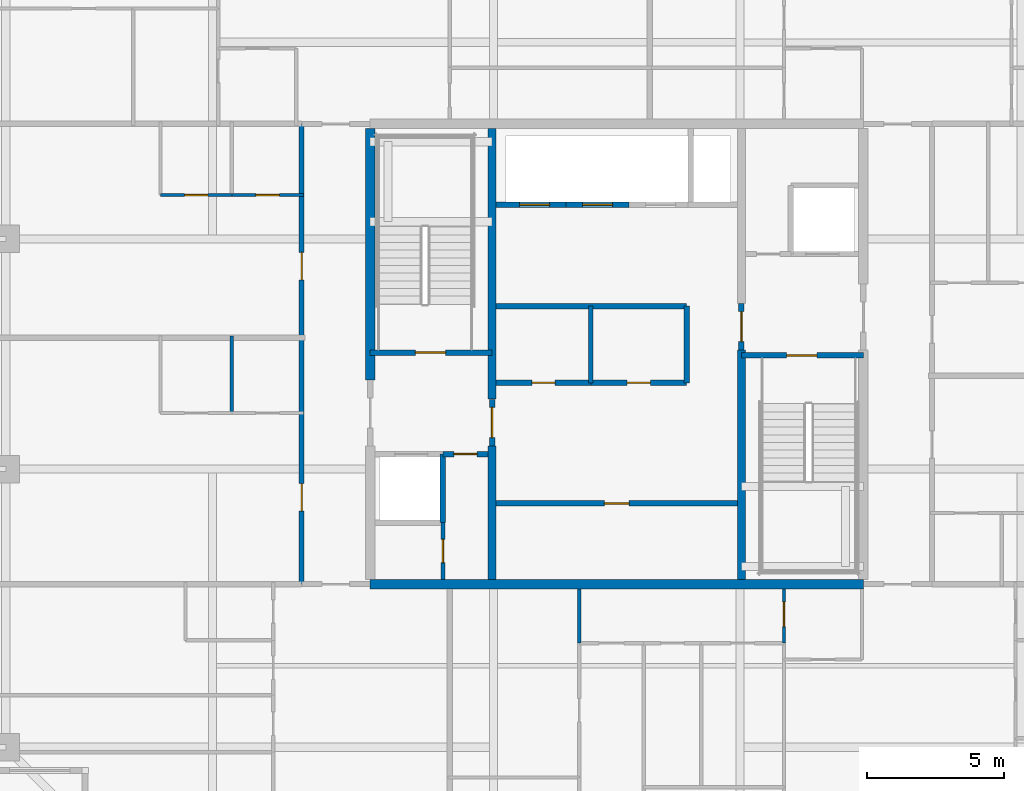
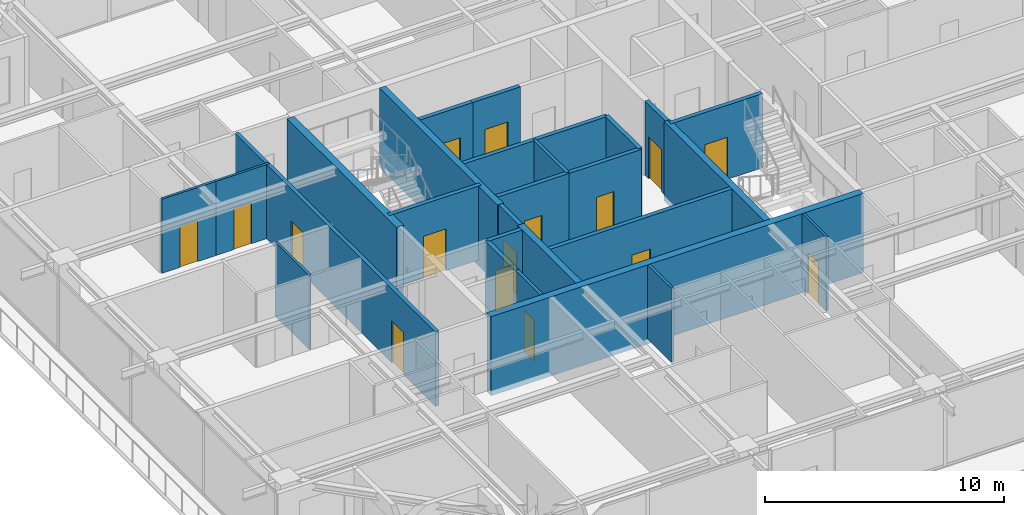
# One storey, part 32 of 42: 26 walls, 16 doors, 16 openings.
"""IFC4 building model written with IfcOpenShell, lengths in metres."""

from ifc_helpers import new_model, si_unit, direction, frame, frame_2d, origin, place, context, subcontext, project, spatial, rectangle, extrude, source, transform, mapped, material, layer, layer_set, type_object, element, fill, save


model = new_model("IFC4")

# Units and contexts
model_context = context("Model", 3, precision=1e-05, world=origin(), true_north=direction((0.0, 1.0)))
body_context = subcontext(model_context, "Body", "Model", "MODEL_VIEW")
ifc_project = project(units=[si_unit("LENGTHUNIT", "METRE"), si_unit("AREAUNIT", "SQUARE_METRE"), si_unit("VOLUMEUNIT", "CUBIC_METRE"), si_unit("PLANEANGLEUNIT", "RADIAN"), si_unit("MASSUNIT", "GRAM", prefix="KILO")], contexts=[model_context])

# Site, building, storey
site_placement = place(None, origin())
site = spatial("IfcSite", under=ifc_project, at=site_placement, CompositionType="ELEMENT")
building_placement = place(site_placement, origin())
building = spatial("IfcBuilding", under=site, at=building_placement, Name="Serunith Strait Residences", CompositionType="ELEMENT")
storey_placement = place(building_placement, frame((0.0, 0.0, 325.85009765625)))
storey = spatial("IfcBuildingStorey", under=building, at=storey_placement, Name="L81", CompositionType="ELEMENT", Elevation=325.85009765625)

# Wall, opening, door
ifc_material_1 = material(Name="Fire-rated masonry service closet wall", Category="masonry")
ifc_layer_1 = layer(ifc_material_1, 0.14990234375, Name="Fire-rated masonry service closet wall")
ifc_layer_set_1 = layer_set([ifc_layer_1], Name="Fire-rated masonry service closet wall")
wall_type_1 = type_object("IfcWallType", Name="IW-BOH-150", PredefinedType="PARTITIONING", material=ifc_layer_set_1)
wall_1_placement = place(storey_placement, frame((26.050048828125, 16.97509765625, 0.0), z_axis=(0.0, 0.0, 1.0), x_axis=(0.0, 1.0, 0.0)))
wall_1 = element("IfcWall", 1, at=wall_1_placement, inside=storey, type_object=wall_type_1, Name="L81 Partition Wall 011", PredefinedType="PARTITIONING", context=body_context, shape_type="SweptSolid", body=[
    extrude(rectangle(XDim=2.072998046875, YDim=0.14990234375, at=frame_2d((1.03662109375, 0.0))), origin(), (0.0, 0.0, 1.0), 3.789794921875),
])
opening_1_placement = place(wall_1_placement, frame((0.611083984375, 0.0, 0.0)))
opening_1 = element("IfcOpeningElement", 2, at=opening_1_placement, cuts=wall_1, Name="Opening FD-850", PredefinedType="OPENING", context=body_context, shape_type="SweptSolid", body=[
    extrude(rectangle(XDim=0.85009765625, YDim=2.10009765625, at=frame_2d((0.425048828125, 1.050048828125))), frame((0.0, 0.0849609375, 0.0), z_axis=(0.0, -1.0, 0.0), x_axis=(1.0, 0.0, 0.0)), (0.0, 0.0, 1.0), 0.169921875),
])
ifc_material_2 = material(Name="Powder-coated steel service closet door", Category="steel")
door_type_1 = type_object("IfcDoorType", Name="FD-BOH-850", OperationType="NOTDEFINED", PredefinedType="DOOR", material=ifc_material_2)
shared_shape_1 = source(origin(), body_context, "Body", "SweptSolid", [
    extrude(rectangle(XDim=0.85009765625, YDim=2.10009765625, at=frame_2d((0.425048828125, 1.050048828125))), frame((0.0, 0.02490234375, 0.0), z_axis=(0.0, -1.0, 0.0), x_axis=(1.0, 0.0, 0.0)), (0.0, 0.0, 1.0), 0.050048828125),
])
door_1_placement = place(opening_1_placement, origin())
door_1 = element("IfcDoor", 3, at=door_1_placement, inside=storey, type_object=door_type_1, Name="L81 Cleaner Store Door", OperationType="SINGLE_SWING_LEFT", OverallHeight=2.10009765625, OverallWidth=0.85009765625, PredefinedType="DOOR", context=body_context, shape_type="MappedRepresentation", body=[
    mapped(shared_shape_1, transform((0.0, 0.0, 0.0), scale=1.0)),
])
fill(opening_1, door_1)

# Wall
wall_2_placement = place(storey_placement, frame((31.449951171875, 24.14990234375, 0.0), z_axis=(0.0, 0.0, 1.0), x_axis=(0.0, 1.0, 0.0)))
element("IfcWall", 4, at=wall_2_placement, inside=storey, type_object=wall_type_1, Name="L81 Partition Wall 017", PredefinedType="PARTITIONING", context=body_context, shape_type="SweptSolid", body=[
    extrude(rectangle(XDim=2.800048828125, YDim=0.14990234375, at=frame_2d((1.39990234375, 0.0))), origin(), (0.0, 0.0, 1.0), 3.789794921875),
])

# Wall, openings, doors
ifc_material_3 = material(Name="Fire-rated acoustic gypsum partition")
ifc_layer_2 = layer(ifc_material_3, 0.179931640625, Name="Fire-rated acoustic gypsum partition")
ifc_layer_set_2 = layer_set([ifc_layer_2], Name="Fire-rated acoustic gypsum partition")
wall_type_2 = type_object("IfcWallType", Name="IW-CORR-180", PredefinedType="PARTITIONING", material=ifc_layer_set_2)
wall_3_placement = place(storey_placement, frame((20.89990234375, 16.800048828125, 0.0), z_axis=(0.0, 0.0, 1.0), x_axis=(0.0, 1.0, 0.0)))
wall_3 = element("IfcWall", 5, at=wall_3_placement, inside=storey, type_object=wall_type_2, Name="L81 Partition Wall 028", PredefinedType="PARTITIONING", context=body_context, shape_type="SweptSolid", body=[
    extrude(rectangle(XDim=16.800048828125, YDim=0.179931640625, at=frame_2d((8.39990234375, 0.0))), origin(), (0.0, 0.0, 1.0), 3.789794921875),
])
opening_2_placement = place(wall_3_placement, frame((2.669921875, 0.0, 0.0)))
opening_2 = element("IfcOpeningElement", 6, at=opening_2_placement, cuts=wall_3, Name="Opening D-APT1000", PredefinedType="OPENING", context=body_context, shape_type="SweptSolid", body=[
    extrude(rectangle(XDim=1.0, YDim=2.14990234375, at=frame_2d((0.5, 1.074951171875))), frame((0.0, 0.10009765625, 0.0), z_axis=(0.0, -1.0, 0.0), x_axis=(1.0, 0.0, 0.0)), (0.0, 0.0, 1.0), 0.199951171875),
])
opening_3_placement = place(wall_3_placement, frame((11.10693359375, 0.0, 0.0)))
opening_3 = element("IfcOpeningElement", 7, at=opening_3_placement, cuts=wall_3, Name="Opening D-APT1000", PredefinedType="OPENING", context=body_context, shape_type="SweptSolid", body=[
    extrude(rectangle(XDim=1.0, YDim=2.14990234375, at=frame_2d((0.5, 1.074951171875))), frame((0.0, 0.10009765625, 0.0), z_axis=(0.0, -1.0, 0.0), x_axis=(1.0, 0.0, 0.0)), (0.0, 0.0, 1.0), 0.199951171875),
])
ifc_material_4 = material(Name="Solid timber engineered fire door", Category="wood")
door_type_2 = type_object("IfcDoorType", Name="ID-APT-1000", OperationType="NOTDEFINED", PredefinedType="DOOR", material=ifc_material_4)
shared_shape_2 = source(origin(), body_context, "Body", "SweptSolid", [
    extrude(rectangle(XDim=1.0, YDim=2.14990234375, at=frame_2d((0.5, 1.074951171875))), frame((0.0, 0.02490234375, 0.0), z_axis=(0.0, -1.0, 0.0), x_axis=(1.0, 0.0, 0.0)), (0.0, 0.0, 1.0), 0.050048828125),
])
door_2_placement = place(opening_2_placement, origin())
door_2 = element("IfcDoor", 8, at=door_2_placement, inside=storey, type_object=door_type_2, Name="L81 Unit 05 Entrance Door", OperationType="SINGLE_SWING_LEFT", OverallHeight=2.14990234375, OverallWidth=1.0, PredefinedType="DOOR", context=body_context, shape_type="MappedRepresentation", body=[
    mapped(shared_shape_2, transform((0.0, 0.0, 0.0), scale=1.0)),
])
fill(opening_2, door_2)
door_3_placement = place(opening_3_placement, origin())
door_3 = element("IfcDoor", 9, at=door_3_placement, inside=storey, type_object=door_type_2, Name="L81 Unit 06 Entrance Door", OperationType="SINGLE_SWING_RIGHT", OverallHeight=2.14990234375, OverallWidth=1.0, PredefinedType="DOOR", context=body_context, shape_type="MappedRepresentation", body=[
    mapped(shared_shape_2, transform((0.0, 0.0, 0.0), scale=1.0)),
])
fill(opening_3, door_3)

# Wall, opening, door
ifc_material_5 = material(Name="Lightweight steel-stud gypsum partition", Category="steel")
ifc_layer_3 = layer(ifc_material_5, 0.1201171875, Name="Lightweight steel-stud gypsum partition")
ifc_layer_set_3 = layer_set([ifc_layer_3], Name="Lightweight steel-stud gypsum partition")
wall_type_3 = type_object("IfcWallType", Name="IW-PART-120", PredefinedType="PARTITIONING", material=ifc_layer_set_3)
wall_4_placement = place(storey_placement, frame((38.5, 14.64990234375, 0.0), z_axis=(0.0, 0.0, 1.0), x_axis=(0.0, 1.0, 0.0)))
wall_4 = element("IfcWall", 10, at=wall_4_placement, inside=storey, type_object=wall_type_3, Name="L81 Partition Wall 042", PredefinedType="PARTITIONING", context=body_context, shape_type="SweptSolid", body=[
    extrude(rectangle(XDim=1.97509765625, YDim=0.1201171875, at=frame_2d((0.987548828125, 0.0))), origin(), (0.0, 0.0, 1.0), 3.789794921875),
])
opening_4_placement = place(wall_4_placement, frame((0.60107421875, 0.0, 0.0)))
opening_4 = element("IfcOpeningElement", 11, at=opening_4_placement, cuts=wall_4, Name="Opening D-RM900", PredefinedType="OPENING", context=body_context, shape_type="SweptSolid", body=[
    extrude(rectangle(XDim=0.89990234375, YDim=2.10009765625, at=frame_2d((0.449951171875, 1.050048828125))), frame((0.0, 0.070068359375, 0.0), z_axis=(0.0, -1.0, 0.0), x_axis=(1.0, 0.0, 0.0)), (0.0, 0.0, 1.0), 0.14013671875),
])
ifc_material_6 = material(Name="Engineered timber flush bedroom door", Category="wood")
door_type_3 = type_object("IfcDoorType", Name="ID-ROOM-900", OperationType="NOTDEFINED", PredefinedType="DOOR", material=ifc_material_6)
shared_shape_3 = source(origin(), body_context, "Body", "SweptSolid", [
    extrude(rectangle(XDim=0.89990234375, YDim=2.10009765625, at=frame_2d((0.449951171875, 1.050048828125))), frame((0.0, 0.02490234375, 0.0), z_axis=(0.0, -1.0, 0.0), x_axis=(1.0, 0.0, 0.0)), (0.0, 0.0, 1.0), 0.050048828125),
])
door_4_placement = place(opening_4_placement, origin())
door_4 = element("IfcDoor", 12, at=door_4_placement, inside=storey, type_object=door_type_3, Name="L81 Hall W 8102 Door", OperationType="SINGLE_SWING_RIGHT", OverallHeight=2.10009765625, OverallWidth=0.89990234375, PredefinedType="DOOR", context=body_context, shape_type="MappedRepresentation", body=[
    mapped(shared_shape_3, transform((0.0, 0.0, 0.0), scale=1.0)),
])
fill(opening_4, door_4)

# Walls
wall_5_placement = place(storey_placement, frame((31.030029296875, 14.652099609375, 0.0), z_axis=(0.0, 0.0, 1.0), x_axis=(0.0, 1.0, 0.0)))
element("IfcWall", 13, at=wall_5_placement, inside=storey, type_object=wall_type_3, Name="L81 Partition Wall 055", PredefinedType="PARTITIONING", context=body_context, shape_type="SweptSolid", body=[
    extrude(rectangle(XDim=1.972900390625, YDim=0.1201171875, at=frame_2d((0.986328125, 0.0))), origin(), (0.0, 0.0, 1.0), 3.789794921875),
])
wall_6_placement = place(storey_placement, frame((18.35009765625, 23.050048828125, 0.0), z_axis=(0.0, 0.0, 1.0), x_axis=(0.0, 1.0, 0.0)))
element("IfcWall", 14, at=wall_6_placement, inside=storey, type_object=wall_type_3, Name="L81 Partition Wall 087", PredefinedType="PARTITIONING", context=body_context, shape_type="SweptSolid", body=[
    extrude(rectangle(XDim=2.81005859375, YDim=0.1201171875, at=frame_2d((1.405029296875, 0.0))), origin(), (0.0, 0.0, 1.0), 3.789794921875),
])

# Wall, opening, door
wall_7_placement = place(storey_placement, frame((15.75, 31.0, 0.0), z_axis=(0.0, 0.0, 1.0), x_axis=(1.0, 0.0, 0.0)))
wall_7 = element("IfcWall", 15, at=wall_7_placement, inside=storey, type_object=wall_type_3, Name="L81 Partition Wall 089", PredefinedType="PARTITIONING", context=body_context, shape_type="SweptSolid", body=[
    extrude(rectangle(XDim=2.60009765625, YDim=0.1201171875, at=frame_2d((1.300048828125, 0.0))), origin(), (0.0, 0.0, 1.0), 3.789794921875),
])
opening_5_placement = place(wall_7_placement, frame((0.875, 0.0, 0.0)))
opening_5 = element("IfcOpeningElement", 16, at=opening_5_placement, cuts=wall_7, Name="Opening D-RM850", PredefinedType="OPENING", context=body_context, shape_type="SweptSolid", body=[
    extrude(rectangle(XDim=0.85009765625, YDim=2.10009765625, at=frame_2d((0.425048828125, 1.050048828125))), frame((0.0, 0.070068359375, 0.0), z_axis=(0.0, -1.0, 0.0), x_axis=(1.0, 0.0, 0.0)), (0.0, 0.0, 1.0), 0.14013671875),
])
ifc_material_7 = material(Name="Engineered timber flush study and kitchen door", Category="wood")
door_type_4 = type_object("IfcDoorType", Name="ID-ROOM-850", OperationType="NOTDEFINED", PredefinedType="DOOR", material=ifc_material_7)
door_5_placement = place(opening_5_placement, origin())
door_5 = element("IfcDoor", 17, at=door_5_placement, inside=storey, type_object=door_type_4, Name="L81 Kitchen 8106 Door", OperationType="SINGLE_SWING_RIGHT", OverallHeight=2.10009765625, OverallWidth=0.85009765625, PredefinedType="DOOR", context=body_context, shape_type="MappedRepresentation", body=[
    mapped(shared_shape_1, transform((0.0, 0.0, 0.0), scale=1.0)),
])
fill(opening_5, door_5)

wall_8_placement = place(storey_placement, frame((18.35205078125, 31.0, 0.0), z_axis=(0.0, 0.0, 1.0), x_axis=(1.0, 0.0, 0.0)))
wall_8 = element("IfcWall", 18, at=wall_8_placement, inside=storey, type_object=wall_type_3, Name="L81 Partition Wall 090", PredefinedType="PARTITIONING", context=body_context, shape_type="SweptSolid", body=[
    extrude(rectangle(XDim=2.60791015625, YDim=0.1201171875, at=frame_2d((1.303955078125, 0.0))), origin(), (0.0, 0.0, 1.0), 3.789794921875),
])
opening_6_placement = place(wall_8_placement, frame((0.87890625, 0.0, 0.0)))
opening_6 = element("IfcOpeningElement", 19, at=opening_6_placement, cuts=wall_8, Name="Opening D-BTH850", PredefinedType="OPENING", context=body_context, shape_type="SweptSolid", body=[
    extrude(rectangle(XDim=0.85009765625, YDim=2.10009765625, at=frame_2d((0.425048828125, 1.050048828125))), frame((0.0, 0.070068359375, 0.0), z_axis=(0.0, -1.0, 0.0), x_axis=(1.0, 0.0, 0.0)), (0.0, 0.0, 1.0), 0.14013671875),
])
ifc_material_8 = material(Name="Moisture-resistant timber bathroom door", Category="wood")
door_type_5 = type_object("IfcDoorType", Name="ID-BATH-850", OperationType="NOTDEFINED", PredefinedType="DOOR", material=ifc_material_8)
door_6_placement = place(opening_6_placement, origin())
door_6 = element("IfcDoor", 20, at=door_6_placement, inside=storey, type_object=door_type_5, Name="L81 Bathroom 8106 Door", OperationType="SINGLE_SWING_LEFT", OverallHeight=2.10009765625, OverallWidth=0.85009765625, PredefinedType="DOOR", context=body_context, shape_type="MappedRepresentation", body=[
    mapped(shared_shape_1, transform((0.0, 0.0, 0.0), scale=1.0)),
])
fill(opening_6, door_6)

ifc_material_9 = material(Name="Autoclaved aerated concrete blockwork", Category="masonry")
ifc_layer_4 = layer(ifc_material_9, 0.199951171875, Name="Autoclaved aerated concrete blockwork")
ifc_layer_set_4 = layer_set([ifc_layer_4], Name="Autoclaved aerated concrete blockwork")
wall_type_4 = type_object("IfcWallType", Name="IW-SHAFT-200", PredefinedType="STANDARD", material=ifc_layer_set_4)
wall_9_placement = place(storey_placement, frame((23.39990234375, 25.25, 0.0), z_axis=(0.0, 0.0, 1.0), x_axis=(1.0, 0.0, 0.0)))
wall_9 = element("IfcWall", 21, at=wall_9_placement, inside=storey, type_object=wall_type_4, Name="L81 ST-1 South Shaft Wall", PredefinedType="STANDARD", context=body_context, shape_type="SweptSolid", body=[
    extrude(rectangle(XDim=4.4501953125, YDim=0.199951171875, at=frame_2d((2.22509765625, 0.0))), origin(), (0.0, 0.0, 1.0), 3.789794921875),
])
opening_7_placement = place(wall_9_placement, frame((1.64990234375, 0.0, 0.0)))
opening_7 = element("IfcOpeningElement", 22, at=opening_7_placement, cuts=wall_9, Name="Opening FD-1100", PredefinedType="OPENING", context=body_context, shape_type="SweptSolid", body=[
    extrude(rectangle(XDim=1.10009765625, YDim=2.14990234375, at=frame_2d((0.550048828125, 1.074951171875))), frame((0.0, 0.10986328125, 0.0), z_axis=(0.0, -1.0, 0.0), x_axis=(1.0, 0.0, 0.0)), (0.0, 0.0, 1.0), 0.219970703125),
])
ifc_material_10 = material(Name="Galvanised steel fire door leaf", Category="steel")
door_type_6 = type_object("IfcDoorType", Name="FD-STAIR-1100", OperationType="NOTDEFINED", PredefinedType="DOOR", material=ifc_material_10)
shared_shape_4 = source(origin(), body_context, "Body", "SweptSolid", [
    extrude(rectangle(XDim=1.10009765625, YDim=2.14990234375, at=frame_2d((0.550048828125, 1.074951171875))), frame((0.0, 0.02490234375, 0.0), z_axis=(0.0, -1.0, 0.0), x_axis=(1.0, 0.0, 0.0)), (0.0, 0.0, 1.0), 0.050048828125),
])
door_7_placement = place(opening_7_placement, origin())
door_7 = element("IfcDoor", 23, at=door_7_placement, inside=storey, type_object=door_type_6, Name="L81 ST-1 Escape Stair Door", OperationType="SINGLE_SWING_LEFT", OverallHeight=2.14990234375, OverallWidth=1.10009765625, PredefinedType="DOOR", context=body_context, shape_type="MappedRepresentation", body=[
    mapped(shared_shape_4, transform((0.0, 0.0, 0.0), scale=1.0)),
])
fill(opening_7, door_7)

wall_10_placement = place(storey_placement, frame((36.949951171875, 25.14990234375, 0.0), z_axis=(0.0, 0.0, 1.0), x_axis=(1.0, 0.0, 0.0)))
wall_10 = element("IfcWall", 24, at=wall_10_placement, inside=storey, type_object=wall_type_4, Name="L81 ST-2 North Shaft Wall", PredefinedType="STANDARD", context=body_context, shape_type="SweptSolid", body=[
    extrude(rectangle(XDim=4.449951171875, YDim=0.199951171875, at=frame_2d((2.22509765625, 0.0))), origin(), (0.0, 0.0, 1.0), 3.789794921875),
])
opening_8_placement = place(wall_10_placement, frame((1.64990234375, 0.0, 0.0)))
opening_8 = element("IfcOpeningElement", 25, at=opening_8_placement, cuts=wall_10, Name="Opening FD-1100", PredefinedType="OPENING", context=body_context, shape_type="SweptSolid", body=[
    extrude(rectangle(XDim=1.10009765625, YDim=2.14990234375, at=frame_2d((0.550048828125, 1.074951171875))), frame((0.0, 0.10986328125, 0.0), z_axis=(0.0, -1.0, 0.0), x_axis=(1.0, 0.0, 0.0)), (0.0, 0.0, 1.0), 0.219970703125),
])
door_8_placement = place(opening_8_placement, origin())
door_8 = element("IfcDoor", 26, at=door_8_placement, inside=storey, type_object=door_type_6, Name="L81 ST-2 Escape Stair Door", OperationType="SINGLE_SWING_RIGHT", OverallHeight=2.14990234375, OverallWidth=1.10009765625, PredefinedType="DOOR", context=body_context, shape_type="MappedRepresentation", body=[
    mapped(shared_shape_4, transform((0.0, 0.0, 0.0), scale=1.0)),
])
fill(opening_8, door_8)

wall_11_placement = place(storey_placement, frame((28.0, 30.64990234375, 0.0), z_axis=(0.0, 0.0, 1.0), x_axis=(1.0, 0.0, 0.0)))
wall_11 = element("IfcWall", 27, at=wall_11_placement, inside=storey, type_object=wall_type_4, Name="L81 PL-7 South Shaft Wall", PredefinedType="STANDARD", context=body_context, shape_type="SweptSolid", body=[
    extrude(rectangle(XDim=2.550048828125, YDim=0.199951171875, at=frame_2d((1.27490234375, 0.0))), origin(), (0.0, 0.0, 1.0), 3.789794921875),
])
opening_9_placement = place(wall_11_placement, frame((0.85009765625, 0.0, 0.0)))
opening_9 = element("IfcOpeningElement", 28, at=opening_9_placement, cuts=wall_11, Name="Opening LD-1100", PredefinedType="OPENING", context=body_context, shape_type="SweptSolid", body=[
    extrude(rectangle(XDim=1.10009765625, YDim=2.199951171875, at=frame_2d((0.550048828125, 1.10009765625))), frame((0.0, 0.10986328125, 0.0), z_axis=(0.0, -1.0, 0.0), x_axis=(1.0, 0.0, 0.0)), (0.0, 0.0, 1.0), 0.219970703125),
])
ifc_material_11 = material(Name="Pale-champagne stainless landing door")
door_type_7 = type_object("IfcDoorType", Name="LD-LIFT-1100", OperationType="DOUBLE_DOOR_SLIDING", PredefinedType="DOOR", material=ifc_material_11)
shared_shape_5 = source(origin(), body_context, "Body", "SweptSolid", [
    extrude(rectangle(XDim=1.10009765625, YDim=2.199951171875, at=frame_2d((0.550048828125, 1.10009765625))), frame((0.0, 0.02490234375, 0.0), z_axis=(0.0, -1.0, 0.0), x_axis=(1.0, 0.0, 0.0)), (0.0, 0.0, 1.0), 0.050048828125),
])
door_9_placement = place(opening_9_placement, origin())
door_9 = element("IfcDoor", 29, at=door_9_placement, inside=storey, type_object=door_type_7, Name="L81 PL-7 Landing Door", OperationType="DOUBLE_DOOR_SLIDING", OverallHeight=2.199951171875, OverallWidth=1.10009765625, PredefinedType="DOOR", context=body_context, shape_type="MappedRepresentation", body=[
    mapped(shared_shape_5, transform((0.0, 0.0, 0.0), scale=1.0)),
])
fill(opening_9, door_9)

wall_12_placement = place(storey_placement, frame((30.550048828125, 30.64990234375, 0.0), z_axis=(0.0, 0.0, 1.0), x_axis=(1.0, 0.0, 0.0)))
wall_12 = element("IfcWall", 30, at=wall_12_placement, inside=storey, type_object=wall_type_4, Name="L81 PL-8 South Shaft Wall", PredefinedType="STANDARD", context=body_context, shape_type="SweptSolid", body=[
    extrude(rectangle(XDim=2.300048828125, YDim=0.199951171875, at=frame_2d((1.14990234375, 0.0))), origin(), (0.0, 0.0, 1.0), 3.789794921875),
])
opening_10_placement = place(wall_12_placement, frame((0.60009765625, 0.0, 0.0)))
opening_10 = element("IfcOpeningElement", 31, at=opening_10_placement, cuts=wall_12, Name="Opening LD-1100", PredefinedType="OPENING", context=body_context, shape_type="SweptSolid", body=[
    extrude(rectangle(XDim=1.10009765625, YDim=2.199951171875, at=frame_2d((0.550048828125, 1.10009765625))), frame((0.0, 0.10986328125, 0.0), z_axis=(0.0, -1.0, 0.0), x_axis=(1.0, 0.0, 0.0)), (0.0, 0.0, 1.0), 0.219970703125),
])
door_10_placement = place(opening_10_placement, origin())
door_10 = element("IfcDoor", 32, at=door_10_placement, inside=storey, type_object=door_type_7, Name="L81 PL-8 Landing Door", OperationType="DOUBLE_DOOR_SLIDING", OverallHeight=2.199951171875, OverallWidth=1.10009765625, PredefinedType="DOOR", context=body_context, shape_type="MappedRepresentation", body=[
    mapped(shared_shape_5, transform((0.0, 0.0, 0.0), scale=1.0)),
])
fill(opening_10, door_10)

# Wall
wall_13_placement = place(storey_placement, frame((26.050048828125, 19.050048828125, 0.0), z_axis=(0.0, 0.0, 1.0), x_axis=(0.0, 1.0, 0.0)))
element("IfcWall", 33, at=wall_13_placement, inside=storey, type_object=wall_type_4, Name="L81 Partition Wall 001", PredefinedType="STANDARD", context=body_context, shape_type="SweptSolid", body=[
    extrude(rectangle(XDim=2.5, YDim=0.199951171875, at=frame_2d((1.25, 0.0))), origin(), (0.0, 0.0, 1.0), 3.789794921875),
])

# Wall, opening, door
wall_14_placement = place(storey_placement, frame((26.052001953125, 21.550048828125, 0.0), z_axis=(0.0, 0.0, 1.0), x_axis=(1.0, 0.0, 0.0)))
wall_14 = element("IfcWall", 34, at=wall_14_placement, inside=storey, type_object=wall_type_4, Name="L81 Partition Wall 003", PredefinedType="STANDARD", context=body_context, shape_type="SweptSolid", body=[
    extrude(rectangle(XDim=1.64794921875, YDim=0.199951171875, at=frame_2d((0.823974609375, 0.0))), origin(), (0.0, 0.0, 1.0), 3.789794921875),
])
opening_11_placement = place(wall_14_placement, frame((0.39892578125, 0.0, 0.0)))
opening_11 = element("IfcOpeningElement", 35, at=opening_11_placement, cuts=wall_14, Name="Opening FD-850", PredefinedType="OPENING", context=body_context, shape_type="SweptSolid", body=[
    extrude(rectangle(XDim=0.85009765625, YDim=2.10009765625, at=frame_2d((0.425048828125, 1.050048828125))), frame((0.0, 0.10986328125, 0.0), z_axis=(0.0, -1.0, 0.0), x_axis=(1.0, 0.0, 0.0)), (0.0, 0.0, 1.0), 0.219970703125),
])
door_11_placement = place(opening_11_placement, origin())
door_11 = element("IfcDoor", 36, at=door_11_placement, inside=storey, type_object=door_type_1, Name="L81 South-West Core Service Door", OperationType="SINGLE_SWING_LEFT", OverallHeight=2.10009765625, OverallWidth=0.85009765625, PredefinedType="DOOR", context=body_context, shape_type="MappedRepresentation", body=[
    mapped(shared_shape_1, transform((0.0, 0.0, 0.0), scale=1.0)),
])
fill(opening_11, door_11)

wall_15_placement = place(storey_placement, frame((27.85009765625, 21.85205078125, 0.0), z_axis=(0.0, 0.0, 1.0), x_axis=(0.0, 1.0, 0.0)))
wall_15 = element("IfcWall", 37, at=wall_15_placement, inside=storey, type_object=wall_type_4, Name="L81 Partition Wall 009", PredefinedType="STANDARD", context=body_context, shape_type="SweptSolid", body=[
    extrude(rectangle(XDim=1.696044921875, YDim=0.199951171875, at=frame_2d((0.84814453125, 0.0))), origin(), (0.0, 0.0, 1.0), 3.789794921875),
])
opening_12_placement = place(wall_15_placement, frame((0.298095703125, 0.0, 0.0)))
opening_12 = element("IfcOpeningElement", 38, at=opening_12_placement, cuts=wall_15, Name="Opening FD-FFL", PredefinedType="OPENING", context=body_context, shape_type="SweptSolid", body=[
    extrude(rectangle(XDim=1.10009765625, YDim=2.14990234375, at=frame_2d((0.550048828125, 1.074951171875))), frame((0.0, 0.10986328125, 0.0), z_axis=(0.0, -1.0, 0.0), x_axis=(1.0, 0.0, 0.0)), (0.0, 0.0, 1.0), 0.219970703125),
])
ifc_material_12 = material(Name="Glazed steel smoke-lobby fire door", Category="steel")
door_type_8 = type_object("IfcDoorType", Name="FD-FFL-1100", OperationType="NOTDEFINED", PredefinedType="DOOR", material=ifc_material_12)
door_12_placement = place(opening_12_placement, origin())
door_12 = element("IfcDoor", 39, at=door_12_placement, inside=storey, type_object=door_type_8, Name="L81 FFL-1 Lift Lobby Door", OperationType="SINGLE_SWING_LEFT", OverallHeight=2.14990234375, OverallWidth=1.10009765625, PredefinedType="DOOR", context=body_context, shape_type="MappedRepresentation", body=[
    mapped(shared_shape_4, transform((0.0, 0.0, 0.0), scale=1.0)),
])
fill(opening_12, door_12)

wall_16_placement = place(storey_placement, frame((36.949951171875, 25.35205078125, 0.0), z_axis=(0.0, 0.0, 1.0), x_axis=(0.0, 1.0, 0.0)))
wall_16 = element("IfcWall", 40, at=wall_16_placement, inside=storey, type_object=wall_type_4, Name="L81 Partition Wall 010", PredefinedType="STANDARD", context=body_context, shape_type="SweptSolid", body=[
    extrude(rectangle(XDim=1.696044921875, YDim=0.199951171875, at=frame_2d((0.84814453125, 0.0))), origin(), (0.0, 0.0, 1.0), 3.789794921875),
])
opening_13_placement = place(wall_16_placement, frame((0.298095703125, 0.0, 0.0)))
opening_13 = element("IfcOpeningElement", 41, at=opening_13_placement, cuts=wall_16, Name="Opening FD-FFL", PredefinedType="OPENING", context=body_context, shape_type="SweptSolid", body=[
    extrude(rectangle(XDim=1.10009765625, YDim=2.14990234375, at=frame_2d((0.550048828125, 1.074951171875))), frame((0.0, 0.10986328125, 0.0), z_axis=(0.0, -1.0, 0.0), x_axis=(1.0, 0.0, 0.0)), (0.0, 0.0, 1.0), 0.219970703125),
])
door_13_placement = place(opening_13_placement, origin())
door_13 = element("IfcDoor", 42, at=door_13_placement, inside=storey, type_object=door_type_8, Name="L81 FFL-2 Lift Lobby Door", OperationType="SINGLE_SWING_RIGHT", OverallHeight=2.14990234375, OverallWidth=1.10009765625, PredefinedType="DOOR", context=body_context, shape_type="MappedRepresentation", body=[
    mapped(shared_shape_4, transform((0.0, 0.0, 0.0), scale=1.0)),
])
fill(opening_13, door_13)

wall_17_placement = place(storey_placement, frame((28.0, 19.75, 0.0), z_axis=(0.0, 0.0, 1.0), x_axis=(1.0, 0.0, 0.0)))
wall_17 = element("IfcWall", 43, at=wall_17_placement, inside=storey, type_object=wall_type_4, Name="L81 Partition Wall 012", PredefinedType="STANDARD", context=body_context, shape_type="SweptSolid", body=[
    extrude(rectangle(XDim=8.800048828125, YDim=0.199951171875, at=frame_2d((4.39990234375, 0.0))), origin(), (0.0, 0.0, 1.0), 3.789794921875),
])
opening_14_placement = place(wall_17_placement, frame((3.949951171875, 0.0, 0.0)))
opening_14 = element("IfcOpeningElement", 44, at=opening_14_placement, cuts=wall_17, Name="Opening FD-900", PredefinedType="OPENING", context=body_context, shape_type="SweptSolid", body=[
    extrude(rectangle(XDim=0.89990234375, YDim=2.10009765625, at=frame_2d((0.449951171875, 1.050048828125))), frame((0.0, 0.10986328125, 0.0), z_axis=(0.0, -1.0, 0.0), x_axis=(1.0, 0.0, 0.0)), (0.0, 0.0, 1.0), 0.219970703125),
])
ifc_material_13 = material(Name="Powder-coated steel riser door", Category="steel")
door_type_9 = type_object("IfcDoorType", Name="FD-BOH-900", OperationType="NOTDEFINED", PredefinedType="DOOR", material=ifc_material_13)
door_14_placement = place(opening_14_placement, origin())
door_14 = element("IfcDoor", 45, at=door_14_placement, inside=storey, type_object=door_type_9, Name="L81 Reclaimed BMS Plant Door", OperationType="SINGLE_SWING_RIGHT", OverallHeight=2.10009765625, OverallWidth=0.89990234375, PredefinedType="DOOR", context=body_context, shape_type="MappedRepresentation", body=[
    mapped(shared_shape_3, transform((0.0, 0.0, 0.0), scale=1.0)),
])
fill(opening_14, door_14)

# Walls
wall_18_placement = place(storey_placement, frame((28.0, 26.949951171875, 0.0), z_axis=(0.0, 0.0, 1.0), x_axis=(1.0, 0.0, 0.0)))
element("IfcWall", 46, at=wall_18_placement, inside=storey, type_object=wall_type_4, Name="L81 Partition Wall 013", PredefinedType="STANDARD", context=body_context, shape_type="SweptSolid", body=[
    extrude(rectangle(XDim=6.949951171875, YDim=0.199951171875, at=frame_2d((3.47509765625, 0.0))), origin(), (0.0, 0.0, 1.0), 3.789794921875),
])
wall_19_placement = place(storey_placement, frame((34.949951171875, 24.14990234375, 0.0), z_axis=(0.0, 0.0, 1.0), x_axis=(0.0, 1.0, 0.0)))
element("IfcWall", 47, at=wall_19_placement, inside=storey, type_object=wall_type_4, Name="L81 Partition Wall 014", PredefinedType="STANDARD", context=body_context, shape_type="SweptSolid", body=[
    extrude(rectangle(XDim=2.800048828125, YDim=0.199951171875, at=frame_2d((1.39990234375, 0.0))), origin(), (0.0, 0.0, 1.0), 3.789794921875),
])

# Wall, opening, door
wall_20_placement = place(storey_placement, frame((28.0, 24.14990234375, 0.0), z_axis=(0.0, 0.0, 1.0), x_axis=(1.0, 0.0, 0.0)))
wall_20 = element("IfcWall", 48, at=wall_20_placement, inside=storey, type_object=wall_type_4, Name="L81 Partition Wall 015", PredefinedType="STANDARD", context=body_context, shape_type="SweptSolid", body=[
    extrude(rectangle(XDim=3.449951171875, YDim=0.199951171875, at=frame_2d((1.72509765625, 0.0))), origin(), (0.0, 0.0, 1.0), 3.789794921875),
])
opening_15_placement = place(wall_20_placement, frame((1.300048828125, 0.0, 0.0)))
opening_15 = element("IfcOpeningElement", 49, at=opening_15_placement, cuts=wall_20, Name="Opening FD-850", PredefinedType="OPENING", context=body_context, shape_type="SweptSolid", body=[
    extrude(rectangle(XDim=0.85009765625, YDim=2.10009765625, at=frame_2d((0.425048828125, 1.050048828125))), frame((0.0, 0.10986328125, 0.0), z_axis=(0.0, -1.0, 0.0), x_axis=(1.0, 0.0, 0.0)), (0.0, 0.0, 1.0), 0.219970703125),
])
door_15_placement = place(opening_15_placement, origin())
door_15 = element("IfcDoor", 50, at=door_15_placement, inside=storey, type_object=door_type_1, Name="L81 Concierge Store Door", OperationType="SINGLE_SWING_LEFT", OverallHeight=2.10009765625, OverallWidth=0.85009765625, PredefinedType="DOOR", context=body_context, shape_type="MappedRepresentation", body=[
    mapped(shared_shape_1, transform((0.0, 0.0, 0.0), scale=1.0)),
])
fill(opening_15, door_15)

wall_21_placement = place(storey_placement, frame((31.451904296875, 24.14990234375, 0.0), z_axis=(0.0, 0.0, 1.0), x_axis=(1.0, 0.0, 0.0)))
wall_21 = element("IfcWall", 51, at=wall_21_placement, inside=storey, type_object=wall_type_4, Name="L81 Partition Wall 016", PredefinedType="STANDARD", context=body_context, shape_type="SweptSolid", body=[
    extrude(rectangle(XDim=3.498046875, YDim=0.199951171875, at=frame_2d((1.7490234375, 0.0))), origin(), (0.0, 0.0, 1.0), 3.789794921875),
])
opening_16_placement = place(wall_21_placement, frame((1.323974609375, 0.0, 0.0)))
opening_16 = element("IfcOpeningElement", 52, at=opening_16_placement, cuts=wall_21, Name="Opening FD-850", PredefinedType="OPENING", context=body_context, shape_type="SweptSolid", body=[
    extrude(rectangle(XDim=0.85009765625, YDim=2.10009765625, at=frame_2d((0.425048828125, 1.050048828125))), frame((0.0, 0.10986328125, 0.0), z_axis=(0.0, -1.0, 0.0), x_axis=(1.0, 0.0, 0.0)), (0.0, 0.0, 1.0), 0.219970703125),
])
door_16_placement = place(opening_16_placement, origin())
door_16 = element("IfcDoor", 53, at=door_16_placement, inside=storey, type_object=door_type_1, Name="L81 Upper Telecoms Door", OperationType="SINGLE_SWING_RIGHT", OverallHeight=2.10009765625, OverallWidth=0.85009765625, PredefinedType="DOOR", context=body_context, shape_type="MappedRepresentation", body=[
    mapped(shared_shape_1, transform((0.0, 0.0, 0.0), scale=1.0)),
])
fill(opening_16, door_16)

# Walls
ifc_material_14 = material(Name="Concrete C60/75", Category="concrete")
ifc_layer_5 = layer(ifc_material_14, 0.300048828125, Name="Concrete C60/75")
ifc_layer_set_5 = layer_set([ifc_layer_5], Name="Concrete C60/75")
wall_type_5 = type_object("IfcWallType", Name="SW-300-C60", PredefinedType="SHEAR", material=ifc_layer_set_5)
wall_22_placement = place(storey_placement, frame((27.85009765625, 16.97509765625, -0.260009765625), z_axis=(0.0, 0.0, 1.0), x_axis=(0.0, 1.0, 0.0)))
element("IfcWall", 54, at=wall_22_placement, inside=storey, type_object=wall_type_5, Name="L81 Core Internal West Web South Pier", PredefinedType="SHEAR", context=body_context, shape_type="SweptSolid", body=[
    extrude(rectangle(XDim=4.875, YDim=0.300048828125, at=frame_2d((2.4375, 0.0))), origin(), (0.0, 0.0, 1.0), 4.0478515625),
])
wall_23_placement = place(storey_placement, frame((27.85009765625, 23.550048828125, -0.260009765625), z_axis=(0.0, 0.0, 1.0), x_axis=(0.0, 1.0, 0.0)))
element("IfcWall", 55, at=wall_23_placement, inside=storey, type_object=wall_type_5, Name="L81 Core Internal West Web North Pier", PredefinedType="SHEAR", context=body_context, shape_type="SweptSolid", body=[
    extrude(rectangle(XDim=9.875, YDim=0.300048828125, at=frame_2d((4.9375, 0.0))), origin(), (0.0, 0.0, 1.0), 4.0478515625),
])
wall_24_placement = place(storey_placement, frame((36.949951171875, 16.97509765625, -0.260009765625), z_axis=(0.0, 0.0, 1.0), x_axis=(0.0, 1.0, 0.0)))
element("IfcWall", 56, at=wall_24_placement, inside=storey, type_object=wall_type_5, Name="L81 Core Internal East Web South Pier", PredefinedType="SHEAR", context=body_context, shape_type="SweptSolid", body=[
    extrude(rectangle(XDim=8.375, YDim=0.300048828125, at=frame_2d((4.1875, 0.0))), origin(), (0.0, 0.0, 1.0), 4.0478515625),
])
ifc_layer_6 = layer(ifc_material_14, 0.35009765625, Name="Concrete C60/75")
ifc_layer_set_6 = layer_set([ifc_layer_6], Name="Concrete C60/75")
wall_type_6 = type_object("IfcWallType", Name="SW-350-C60", PredefinedType="SHEAR", material=ifc_layer_set_6)
wall_25_placement = place(storey_placement, frame((23.39990234375, 16.800048828125, -0.260009765625), z_axis=(0.0, 0.0, 1.0), x_axis=(1.0, 0.0, 0.0)))
element("IfcWall", 57, at=wall_25_placement, inside=storey, type_object=wall_type_6, Name="L81 Core South Shear Wall", PredefinedType="SHEAR", context=body_context, shape_type="SweptSolid", body=[
    extrude(rectangle(XDim=18.0, YDim=0.35009765625, at=frame_2d((9.0, 0.0))), origin(), (0.0, 0.0, 1.0), 4.0478515625),
])
wall_26_placement = place(storey_placement, frame((23.39990234375, 24.25, -0.260009765625), z_axis=(0.0, 0.0, 1.0), x_axis=(0.0, 1.0, 0.0)))
element("IfcWall", 58, at=wall_26_placement, inside=storey, type_object=wall_type_6, Name="L81 Core West Shear Wall North Pier", PredefinedType="SHEAR", context=body_context, shape_type="SweptSolid", body=[
    extrude(rectangle(XDim=9.175048828125, YDim=0.35009765625, at=frame_2d((4.58740234375, 0.0))), origin(), (0.0, 0.0, 1.0), 4.0478515625),
])

save(model, "model.ifc")
